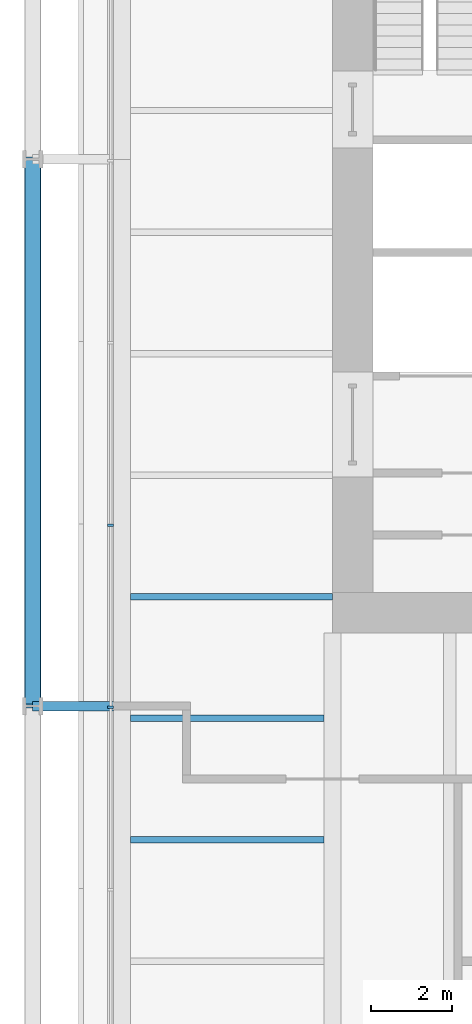
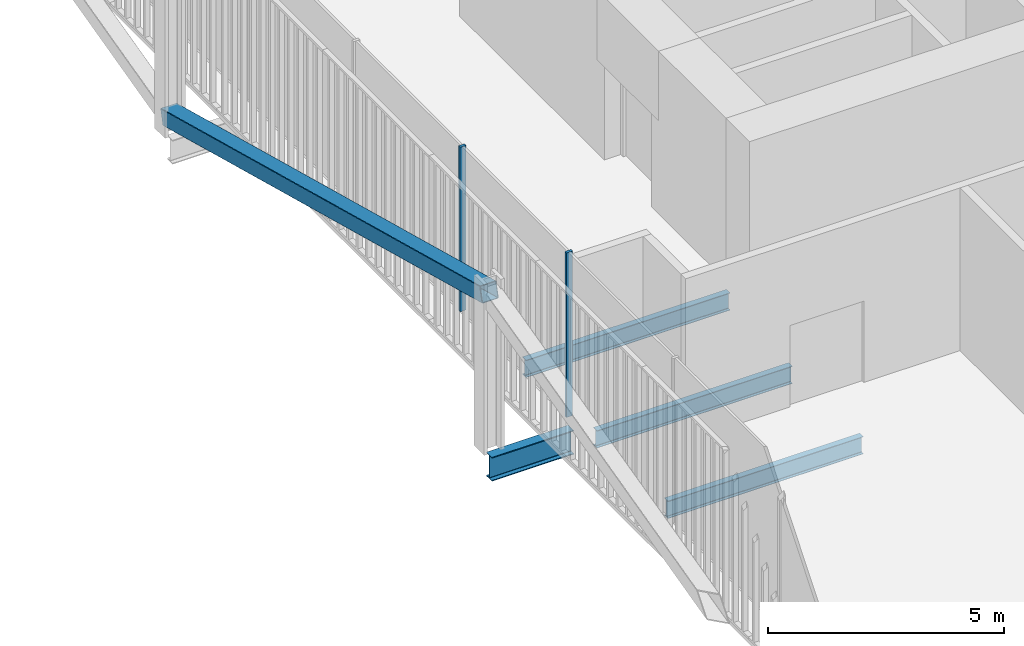
# One storey, part 5 of 21: 4 beams, 3 members, 1 element without a shape of its own.
"""IFC4 building model written with IfcOpenShell, lengths in metres."""

from ifc_helpers import new_model, si_unit, direction, frame, origin, origin_2d, place, context, subcontext, project, spatial, rectangle, hollow_rectangle, i_section, extrude, material, layer, layer_set, material_profile, profile_set, type_object, element, aggregate, save


model = new_model("IFC4")

# Units and contexts
model_context = context("Model", 3, precision=1e-05, world=origin(), true_north=direction((0.0, 1.0)))
body_context = subcontext(model_context, "Body", "Model", "MODEL_VIEW")
ifc_project = project(units=[si_unit("LENGTHUNIT", "METRE"), si_unit("AREAUNIT", "SQUARE_METRE"), si_unit("VOLUMEUNIT", "CUBIC_METRE"), si_unit("PLANEANGLEUNIT", "RADIAN"), si_unit("MASSUNIT", "GRAM", prefix="KILO")], contexts=[model_context])

# Site, building, storey
site_placement = place(None, origin())
site = spatial("IfcSite", under=ifc_project, at=site_placement, CompositionType="ELEMENT")
building_placement = place(site_placement, origin())
building = spatial("IfcBuilding", under=site, at=building_placement, Name="Millrace Tower", CompositionType="ELEMENT")
storey_placement = place(building_placement, frame((0.0, 0.0, 90.800048828125)))
storey = spatial("IfcBuildingStorey", under=building, at=storey_placement, Name="L20", CompositionType="ELEMENT", Elevation=90.800048828125)

# Curtain wall, members
ifc_material_1 = material(Name="Aluminium and glass", Category="aluminium")
ifc_layer = layer(ifc_material_1, 0.14990234375)
ifc_layer_set = layer_set([ifc_layer], Name="Aluminium and glass")
curtain_wall_type = type_object("IfcCurtainWallType", Name="CW-3 telecom floor curtain wall", PredefinedType="NOTDEFINED", material=ifc_layer_set)
curtain_wall_placement = place(storey_placement, origin())
curtain_wall = element("IfcCurtainWall", 1, at=curtain_wall_placement, inside=storey, type_object=curtain_wall_type, Name="Curtain wall B-F08 L20", PredefinedType="NOTDEFINED")
ifc_material_2 = material(Name="Aluminium", Category="aluminium")
ifc_material_profile_1 = material_profile(ifc_material_2, rectangle(XDim=0.06494140625, YDim=0.14990234375, at=origin_2d()))
ifc_profile_set_1 = profile_set([ifc_material_profile_1], Name="Aluminium")
member_type_1 = type_object("IfcMemberType", Name="CW-3 telecom floor curtain wall mullion", PredefinedType="MULLION", material=ifc_profile_set_1)
member_1_placement = place(storey_placement, frame((-20.375, -7.232421875, 0.14990234375), z_axis=(0.0, 0.0, 1.0), x_axis=(0.0, -1.0, 0.0)))
member_1 = element("IfcMember", 2, at=member_1_placement, type_object=member_type_1, Name="CW3 mullion B-F08.6", PredefinedType="MULLION", context=body_context, shape_type="SweptSolid", body=[
    extrude(rectangle(XDim=0.06494140625, YDim=0.14990234375, at=origin_2d()), origin(), (0.0, 0.0, 1.0), 4.25),
])
member_2_placement = place(storey_placement, frame((-20.375, -11.732421875, 0.14990234375), z_axis=(0.0, 0.0, 1.0), x_axis=(0.0, -1.0, 0.0)))
member_2 = element("IfcMember", 3, at=member_2_placement, type_object=member_type_1, Name="CW3 mullion B-F08.7", PredefinedType="MULLION", context=body_context, shape_type="SweptSolid", body=[
    extrude(rectangle(XDim=0.06494140625, YDim=0.14990234375, at=origin_2d()), origin(), (0.0, 0.0, 1.0), 4.25),
])
aggregate(curtain_wall, [member_1, member_2])

# Member
ifc_material_3 = material(Name="Steel ASTM A500 Grade C", Category="steel")
ifc_material_profile_2 = material_profile(ifc_material_3, hollow_rectangle(XDim=0.406494140625, YDim=0.406494140625, WallThickness=0.015869140625, InnerFilletRadius=0.008056640625, OuterFilletRadius=0.02392578125, at=origin_2d()))
ifc_profile_set_2 = profile_set([ifc_material_profile_2], Name="Steel ASTM A500 Grade C")
member_type_2 = type_object("IfcMemberType", Name="Exoskeleton brace HSS16x16x5/8", PredefinedType="BRACE", material=ifc_profile_set_2)
member_3_placement = place(storey_placement, frame((-22.300048828125, 1.800048828125, 0.39990234375), z_axis=(0.0, -0.966233199446, 0.257669176053), x_axis=(1.0, 0.0, 0.0)))
element("IfcMember", 4, at=member_3_placement, inside=storey, type_object=member_type_2, Name="BRC-B-L20-15", PredefinedType="BRACE", context=body_context, shape_type="SweptSolid", body=[
    extrude(hollow_rectangle(XDim=0.406494140625, YDim=0.406494140625, WallThickness=0.015869140625, InnerFilletRadius=0.008056640625, OuterFilletRadius=0.02392578125, at=origin_2d()), origin(), (0.0, 0.0, 1.0), 13.9716796875),
])

# Beams
ifc_material_4 = material(Name="Steel ASTM A992 Grade 50", Category="steel")
ifc_material_profile_3 = material_profile(ifc_material_4, i_section(OverallWidth=0.15234375, OverallDepth=0.449462890625, WebThickness=0.007568359375, FlangeThickness=0.0107421875, FilletRadius=0.01025390625, at=origin_2d()))
ifc_profile_set_3 = profile_set([ifc_material_profile_3], Name="Steel ASTM A992 Grade 50")
beam_type_1 = type_object("IfcBeamType", Name="Floor beam W18x35", PredefinedType="JOIST", material=ifc_profile_set_3)
for number, where, z_axis, x_axis, name in (
    (5, (-19.880859375, -15.0, -0.4248046875), (1.0, 0.0, 0.0), (0.0, 1.0, 0.0), "BM-B-L20-S1-S009"),
    (6, (-19.880859375, -12.0, -0.4248046875), (1.0, 0.0, 0.0), (0.0, 1.0, 0.0), "BM-B-L20-S1-S011"),
):
    element("IfcBeam", number, at=place(storey_placement, frame(where, z_axis=z_axis, x_axis=x_axis)), inside=storey, type_object=beam_type_1, Name=name, PredefinedType="JOIST", context=body_context, shape_type="SweptSolid", body=[
        extrude(i_section(OverallWidth=0.15234375, OverallDepth=0.449462890625, WebThickness=0.007568359375, FlangeThickness=0.0107421875, FilletRadius=0.01025390625, at=origin_2d()), origin(), (0.0, 0.0, 1.0), 4.77001953125),
    ])
beam_1_placement = place(storey_placement, frame((-19.880859375, -9.0, -0.4248046875), z_axis=(1.0, 0.0, 0.0), x_axis=(0.0, 1.0, 0.0)))
element("IfcBeam", 7, at=beam_1_placement, inside=storey, type_object=beam_type_1, Name="BM-B-L20-S1-S014", PredefinedType="JOIST", context=body_context, shape_type="SweptSolid", body=[
    extrude(i_section(OverallWidth=0.15234375, OverallDepth=0.449462890625, WebThickness=0.007568359375, FlangeThickness=0.0107421875, FilletRadius=0.01025390625, at=origin_2d()), origin(), (0.0, 0.0, 1.0), 4.98095703125),
])
ifc_material_5 = material(Name="Steel ASTM A992 Grade 50", Category="steel")
ifc_material_profile_4 = material_profile(ifc_material_5, i_section(OverallWidth=0.23046875, OverallDepth=0.6171875, WebThickness=0.01318359375, FlangeThickness=0.022216796875, FilletRadius=0.012939453125, at=origin_2d()))
ifc_profile_set_4 = profile_set([ifc_material_profile_4], Name="Steel ASTM A992 Grade 50")
beam_type_2 = type_object("IfcBeamType", Name="Link beam W24x94", PredefinedType="BEAM", material=ifc_profile_set_4)
beam_2_placement = place(storey_placement, frame((-20.300048828125, -11.699951171875, -0.508544921875), z_axis=(-1.0, 0.0, 0.0), x_axis=(0.0, -1.0, 0.0)))
element("IfcBeam", 8, at=beam_2_placement, inside=storey, type_object=beam_type_2, Name="LNK-B-L20-S1-02", PredefinedType="BEAM", context=body_context, shape_type="SweptSolid", body=[
    extrude(i_section(OverallWidth=0.23046875, OverallDepth=0.6171875, WebThickness=0.01318359375, FlangeThickness=0.022216796875, FilletRadius=0.012939453125, at=origin_2d()), origin(), (0.0, 0.0, 1.0), 2.0),
])

save(model, "model.ifc")
